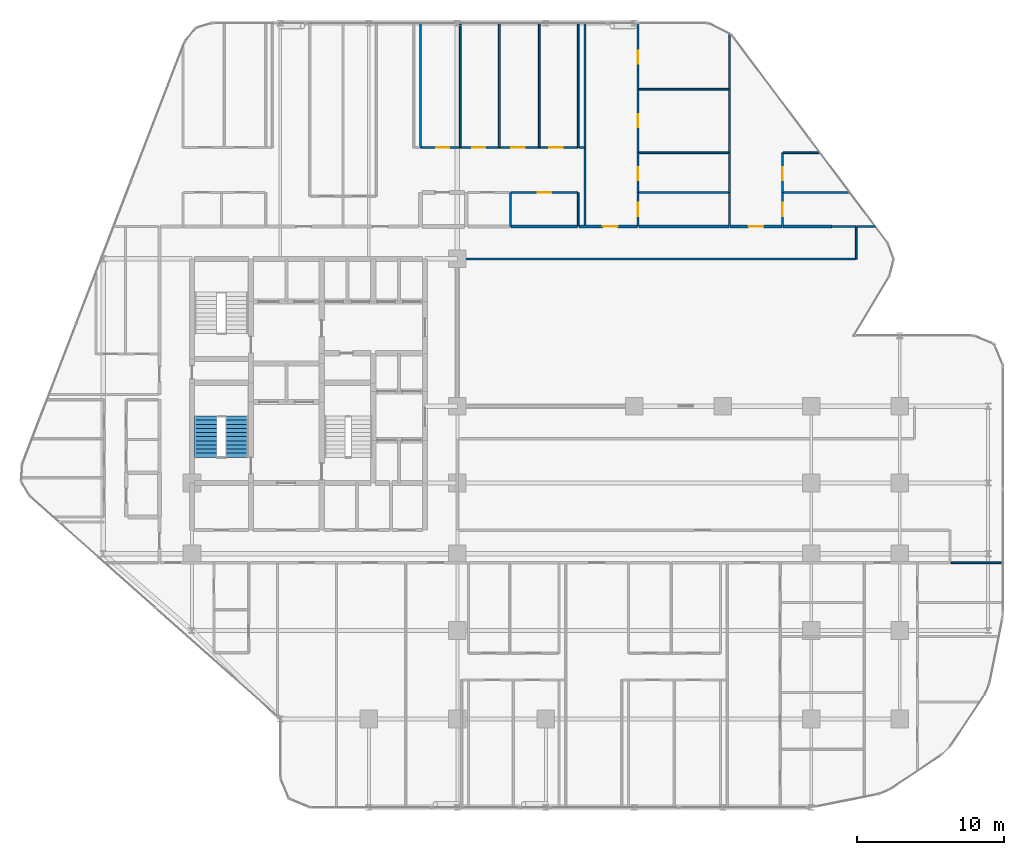
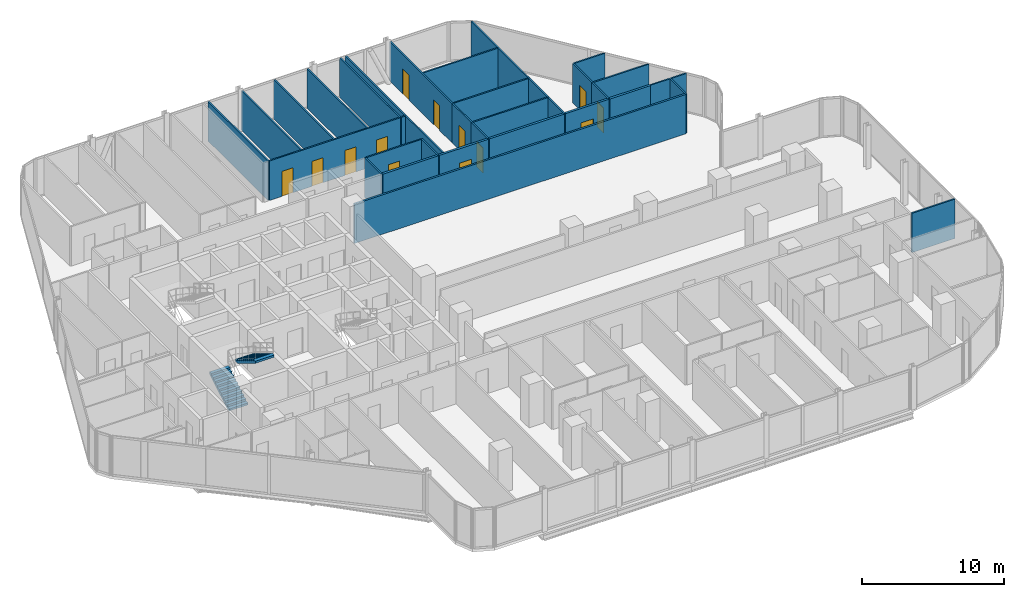
# One storey, part 31 of 33: 34 walls, 13 doors, 2 stair flights, 13 openings, 1 element without a shape of its own.
"""IFC4 building model written with IfcOpenShell, lengths in metres."""

from ifc_helpers import new_model, si_unit, direction, frame, frame_2d, origin, place, context, subcontext, project, spatial, polyline, rectangle, outline, extrude, material, layer, layer_set, type_object, element, fill, aggregate, save


model = new_model("IFC4")

# Units and contexts
model_context = context("Model", 3, precision=1e-05, world=origin(), true_north=direction((0.0, 1.0)))
body_context = subcontext(model_context, "Body", "Model", "MODEL_VIEW")
ifc_project = project(units=[si_unit("LENGTHUNIT", "METRE"), si_unit("AREAUNIT", "SQUARE_METRE"), si_unit("VOLUMEUNIT", "CUBIC_METRE"), si_unit("PLANEANGLEUNIT", "RADIAN"), si_unit("MASSUNIT", "GRAM", prefix="KILO")], contexts=[model_context])

# Site, building, storey
site_placement = place(None, origin())
site = spatial("IfcSite", under=ifc_project, at=site_placement, CompositionType="ELEMENT")
building_placement = place(site_placement, origin())
building = spatial("IfcBuilding", under=site, at=building_placement, Name="Keshet Zoharim Tower", CompositionType="ELEMENT")
storey_placement = place(building_placement, frame((0.0, 0.0, 73.800048828125)))
storey = spatial("IfcBuildingStorey", under=building, at=storey_placement, Name="L17", CompositionType="ELEMENT", Elevation=73.800048828125)

# Walls
ifc_material_1 = material(Name="Gypsum Plasterboard", Category="gypsum")
ifc_layer_1 = layer(ifc_material_1, 0.14990234375)
ifc_layer_set_1 = layer_set([ifc_layer_1], Name="Gypsum Plasterboard")
wall_type_1 = type_object("IfcWallType", Name="WL-CLIN-150", PredefinedType="STANDARD", material=ifc_layer_set_1)
wall_1_placement = place(storey_placement, frame((33.070068359375, 37.89990234375, 0.0), z_axis=(0.0, 0.0, 1.0), x_axis=(1.0, 0.0, 0.0)))
element("IfcWall", 1, at=wall_1_placement, inside=storey, type_object=wall_type_1, Name="L17 Interior Wall 188", PredefinedType="STANDARD", context=body_context, shape_type="SweptSolid", body=[
    extrude(rectangle(XDim=26.934814453125, YDim=0.14990234375, at=frame_2d((13.46728515625, 0.0))), origin(), (0.0, 0.0, 1.0), 3.385009765625),
])
ifc_layer_2 = layer(ifc_material_1, 0.179931640625)
ifc_layer_set_2 = layer_set([ifc_layer_2], Name="Gypsum Plasterboard")
wall_type_2 = type_object("IfcWallType", Name="WL-CORR-180", PredefinedType="STANDARD", material=ifc_layer_set_2)
wall_2_placement = place(storey_placement, frame((36.64990234375, 40.10009765625, 0.0), z_axis=(0.0, 0.0, 1.0), x_axis=(1.0, 0.0, 0.0)))
element("IfcWall", 2, at=wall_2_placement, inside=storey, type_object=wall_type_2, Name="L17 Interior Wall 197", PredefinedType="STANDARD", context=body_context, shape_type="SweptSolid", body=[
    extrude(rectangle(XDim=4.51513671875, YDim=0.179931640625, at=frame_2d((2.257568359375, 0.0))), origin(), (0.0, 0.0, 1.0), 3.385009765625),
])

# Wall, opening, door
wall_3_placement = place(storey_placement, frame((41.2548828125, 40.10009765625, 0.0), z_axis=(0.0, 0.0, 1.0), x_axis=(1.0, 0.0, 0.0)))
wall_3 = element("IfcWall", 3, at=wall_3_placement, inside=storey, type_object=wall_type_2, Name="L17 Interior Wall 198", PredefinedType="STANDARD", context=body_context, shape_type="SweptSolid", body=[
    extrude(rectangle(XDim=3.960205078125, YDim=0.179931640625, at=frame_2d((1.97998046875, 0.0))), origin(), (0.0, 0.0, 1.0), 3.385009765625),
])
opening_1_placement = place(wall_3_placement, frame((1.60888671875, 0.0, 0.0)))
opening_1 = element("IfcOpeningElement", 4, at=opening_1_placement, cuts=wall_3, Name="Opening D-F310", PredefinedType="OPENING", context=body_context, shape_type="SweptSolid", body=[
    extrude(rectangle(XDim=1.0, YDim=2.14990234375, at=frame_2d((0.5, 1.074951171875))), frame((0.0, 0.10009765625, 0.0), z_axis=(0.0, -1.0, 0.0), x_axis=(1.0, 0.0, 0.0)), (0.0, 0.0, 1.0), 0.199951171875),
])
ifc_material_2 = material(Name="Hardwood Timber", Category="wood")
door_type_1 = type_object("IfcDoorType", Name="DR-FD30-100", OperationType="NOTDEFINED", PredefinedType="DOOR", material=ifc_material_2)
door_1_placement = place(opening_1_placement, origin())
door_1 = element("IfcDoor", 5, at=door_1_placement, inside=storey, type_object=door_type_1, Name="Apartment 1708 Entrance Door", OperationType="SINGLE_SWING_LEFT", OverallHeight=2.14990234375, OverallWidth=1.0, PredefinedType="DOOR", context=body_context, shape_type="SweptSolid", body=[
    extrude(rectangle(XDim=1.0, YDim=2.14990234375, at=frame_2d((0.5, 1.074951171875))), frame((0.0, 0.02490234375, 0.0), z_axis=(0.0, -1.0, 0.0), x_axis=(1.0, 0.0, 0.0)), (0.0, 0.0, 1.0), 0.050048828125),
])
fill(opening_1, door_1)

# Wall
wall_4_placement = place(storey_placement, frame((45.304931640625, 40.10009765625, 0.0), z_axis=(0.0, 0.0, 1.0), x_axis=(1.0, 0.0, 0.0)))
element("IfcWall", 6, at=wall_4_placement, inside=storey, type_object=wall_type_2, Name="L17 Interior Wall 199", PredefinedType="STANDARD", context=body_context, shape_type="SweptSolid", body=[
    extrude(rectangle(XDim=6.10009765625, YDim=0.179931640625, at=frame_2d((3.050048828125, 0.0))), origin(), (0.0, 0.0, 1.0), 3.385009765625),
])

# Wall, opening, door
wall_5_placement = place(storey_placement, frame((51.4951171875, 40.10009765625, 0.0), z_axis=(0.0, 0.0, 1.0), x_axis=(1.0, 0.0, 0.0)))
wall_5 = element("IfcWall", 7, at=wall_5_placement, inside=storey, type_object=wall_type_2, Name="L17 Interior Wall 200", PredefinedType="STANDARD", context=body_context, shape_type="SweptSolid", body=[
    extrude(rectangle(XDim=3.509765625, YDim=0.179931640625, at=frame_2d((1.7548828125, 0.0))), origin(), (0.0, 0.0, 1.0), 3.385009765625),
])
opening_2_placement = place(wall_5_placement, frame((1.2548828125, 0.0, 0.0)))
opening_2 = element("IfcOpeningElement", 8, at=opening_2_placement, cuts=wall_5, Name="Opening D-F310", PredefinedType="OPENING", context=body_context, shape_type="SweptSolid", body=[
    extrude(rectangle(XDim=1.0, YDim=2.14990234375, at=frame_2d((0.5, 1.074951171875))), frame((0.0, 0.10009765625, 0.0), z_axis=(0.0, -1.0, 0.0), x_axis=(1.0, 0.0, 0.0)), (0.0, 0.0, 1.0), 0.199951171875),
])
door_2_placement = place(opening_2_placement, origin())
door_2 = element("IfcDoor", 9, at=door_2_placement, inside=storey, type_object=door_type_1, Name="Apartment 1709 Entrance Door", OperationType="SINGLE_SWING_RIGHT", OverallHeight=2.14990234375, OverallWidth=1.0, PredefinedType="DOOR", context=body_context, shape_type="SweptSolid", body=[
    extrude(rectangle(XDim=1.0, YDim=2.14990234375, at=frame_2d((0.5, 1.074951171875))), frame((0.0, 0.02490234375, 0.0), z_axis=(0.0, -1.0, 0.0), x_axis=(1.0, 0.0, 0.0)), (0.0, 0.0, 1.0), 0.050048828125),
])
fill(opening_2, door_2)

# Walls
wall_6_placement = place(storey_placement, frame((55.094970703125, 40.10009765625, 0.0), z_axis=(0.0, 0.0, 1.0), x_axis=(1.0, 0.0, 0.0)))
element("IfcWall", 10, at=wall_6_placement, inside=storey, type_object=wall_type_2, Name="L17 Interior Wall 201", PredefinedType="STANDARD", context=body_context, shape_type="SweptSolid", body=[
    extrude(rectangle(XDim=3.304931640625, YDim=0.179931640625, at=frame_2d((1.65234375, 0.0))), origin(), (0.0, 0.0, 1.0), 3.385009765625),
])
ifc_layer_3 = layer(ifc_material_1, 0.1201171875)
ifc_layer_set_3 = layer_set([ifc_layer_3], Name="Gypsum Plasterboard")
wall_type_3 = type_object("IfcWallType", Name="WL-PART-120", PredefinedType="PARTITIONING", material=ifc_layer_set_3)
for number, where, z_axis, x_axis, name in (
    (11, (30.5, 45.449951171875, 0.0), (0.0, 0.0, 1.0), (0.0, 1.0, 0.0), "L17 Interior Wall 062"),
    (12, (33.199951171875, 45.449951171875, 0.0), (0.0, 0.0, 1.0), (0.0, 1.0, 0.0), "L17 Interior Wall 071"),
    (13, (35.85009765625, 45.449951171875, 0.0), (0.0, 0.0, 1.0), (0.0, 1.0, 0.0), "L17 Interior Wall 076"),
    (14, (38.550048828125, 45.449951171875, 0.0), (0.0, 0.0, 1.0), (0.0, 1.0, 0.0), "L17 Interior Wall 080"),
):
    element("IfcWall", number, at=place(storey_placement, frame(where, z_axis=z_axis, x_axis=x_axis)), inside=storey, type_object=wall_type_3, Name=name, PredefinedType="PARTITIONING", context=body_context, shape_type="SweptSolid", body=[
        extrude(rectangle(XDim=8.43994140625, YDim=0.1201171875, at=frame_2d((4.219970703125, 0.0))), origin(), (0.0, 0.0, 1.0), 3.385009765625),
    ])
wall_7_placement = place(storey_placement, frame((41.199951171875, 40.10009765625, 0.0), z_axis=(0.0, 0.0, 1.0), x_axis=(0.0, 1.0, 0.0)))
element("IfcWall", 15, at=wall_7_placement, inside=storey, type_object=wall_type_3, Name="L17 Interior Wall 084", PredefinedType="PARTITIONING", context=body_context, shape_type="SweptSolid", body=[
    extrude(rectangle(XDim=2.2998046875, YDim=0.1201171875, at=frame_2d((1.14990234375, 0.0))), origin(), (0.0, 0.0, 1.0), 3.385009765625),
])
wall_8_placement = place(storey_placement, frame((41.199951171875, 45.449951171875, 0.0), z_axis=(0.0, 0.0, 1.0), x_axis=(0.0, 1.0, 0.0)))
element("IfcWall", 16, at=wall_8_placement, inside=storey, type_object=wall_type_3, Name="L17 Interior Wall 085", PredefinedType="PARTITIONING", context=body_context, shape_type="SweptSolid", body=[
    extrude(rectangle(XDim=8.43994140625, YDim=0.1201171875, at=frame_2d((4.219970703125, 0.0))), origin(), (0.0, 0.0, 1.0), 3.385009765625),
])
wall_9_placement = place(storey_placement, frame((41.64990234375, 40.10009765625, 0.0), z_axis=(0.0, 0.0, 1.0), x_axis=(0.0, 1.0, 0.0)))
element("IfcWall", 17, at=wall_9_placement, inside=storey, type_object=wall_type_3, Name="L17 Interior Wall 086", PredefinedType="PARTITIONING", context=body_context, shape_type="SweptSolid", body=[
    extrude(rectangle(XDim=13.789794921875, YDim=0.1201171875, at=frame_2d((6.89501953125, 0.0))), origin(), (0.0, 0.0, 1.0), 3.385009765625),
])

# Wall, opening, door
wall_10_placement = place(storey_placement, frame((45.25, 40.10009765625, 0.0), z_axis=(0.0, 0.0, 1.0), x_axis=(0.0, 1.0, 0.0)))
wall_10 = element("IfcWall", 18, at=wall_10_placement, inside=storey, type_object=wall_type_3, Name="L17 Interior Wall 090", PredefinedType="PARTITIONING", context=body_context, shape_type="SweptSolid", body=[
    extrude(rectangle(XDim=2.2998046875, YDim=0.1201171875, at=frame_2d((1.14990234375, 0.0))), origin(), (0.0, 0.0, 1.0), 3.385009765625),
])
opening_3_placement = place(wall_10_placement, frame((0.699951171875, 0.0, 0.0)))
opening_3 = element("IfcOpeningElement", 19, at=opening_3_placement, cuts=wall_10, Name="Opening D-IN90", PredefinedType="OPENING", context=body_context, shape_type="SweptSolid", body=[
    extrude(rectangle(XDim=0.89990234375, YDim=2.14990234375, at=frame_2d((0.449951171875, 1.074951171875))), frame((0.0, 0.070068359375, 0.0), z_axis=(0.0, -1.0, 0.0), x_axis=(1.0, 0.0, 0.0)), (0.0, 0.0, 1.0), 0.14013671875),
])
door_type_2 = type_object("IfcDoorType", Name="DR-INT-090", OperationType="NOTDEFINED", PredefinedType="DOOR", material=ifc_material_2)
door_3_placement = place(opening_3_placement, origin())
door_3 = element("IfcDoor", 20, at=door_3_placement, inside=storey, type_object=door_type_2, Name="Apartment 1708 Kitchen Door", OperationType="SINGLE_SWING_RIGHT", OverallHeight=2.14990234375, OverallWidth=0.89990234375, PredefinedType="DOOR", context=body_context, shape_type="SweptSolid", body=[
    extrude(rectangle(XDim=0.89990234375, YDim=2.14990234375, at=frame_2d((0.449951171875, 1.074951171875))), frame((0.0, 0.02490234375, 0.0), z_axis=(0.0, -1.0, 0.0), x_axis=(1.0, 0.0, 0.0)), (0.0, 0.0, 1.0), 0.050048828125),
])
fill(opening_3, door_3)

# Wall, openings, doors
wall_11_placement = place(storey_placement, frame((45.25, 45.10009765625, 0.0), z_axis=(0.0, 0.0, 1.0), x_axis=(0.0, 1.0, 0.0)))
wall_11 = element("IfcWall", 21, at=wall_11_placement, inside=storey, type_object=wall_type_3, Name="L17 Interior Wall 092", PredefinedType="PARTITIONING", context=body_context, shape_type="SweptSolid", body=[
    extrude(rectangle(XDim=8.789794921875, YDim=0.1201171875, at=frame_2d((4.39501953125, 0.0))), origin(), (0.0, 0.0, 1.0), 3.385009765625),
])
opening_4_placement = place(wall_11_placement, frame((1.7119140625, 0.0, 0.0)))
opening_4 = element("IfcOpeningElement", 22, at=opening_4_placement, cuts=wall_11, Name="Opening D-IN90", PredefinedType="OPENING", context=body_context, shape_type="SweptSolid", body=[
    extrude(rectangle(XDim=0.89990234375, YDim=2.14990234375, at=frame_2d((0.449951171875, 1.074951171875))), frame((0.0, 0.070068359375, 0.0), z_axis=(0.0, -1.0, 0.0), x_axis=(1.0, 0.0, 0.0)), (0.0, 0.0, 1.0), 0.14013671875),
])
opening_5_placement = place(wall_11_placement, frame((6.030029296875, 0.0, 0.0)))
opening_5 = element("IfcOpeningElement", 23, at=opening_5_placement, cuts=wall_11, Name="Opening D-IN90", PredefinedType="OPENING", context=body_context, shape_type="SweptSolid", body=[
    extrude(rectangle(XDim=0.89990234375, YDim=2.14990234375, at=frame_2d((0.449951171875, 1.074951171875))), frame((0.0, 0.070068359375, 0.0), z_axis=(0.0, -1.0, 0.0), x_axis=(1.0, 0.0, 0.0)), (0.0, 0.0, 1.0), 0.14013671875),
])
door_4_placement = place(opening_4_placement, origin())
door_4 = element("IfcDoor", 24, at=door_4_placement, inside=storey, type_object=door_type_2, Name="Apartment 1708 Bedroom 1 Door", OperationType="SINGLE_SWING_RIGHT", OverallHeight=2.14990234375, OverallWidth=0.89990234375, PredefinedType="DOOR", context=body_context, shape_type="SweptSolid", body=[
    extrude(rectangle(XDim=0.89990234375, YDim=2.14990234375, at=frame_2d((0.449951171875, 1.074951171875))), frame((0.0, 0.02490234375, 0.0), z_axis=(0.0, -1.0, 0.0), x_axis=(1.0, 0.0, 0.0)), (0.0, 0.0, 1.0), 0.050048828125),
])
fill(opening_4, door_4)
door_5_placement = place(opening_5_placement, origin())
door_5 = element("IfcDoor", 25, at=door_5_placement, inside=storey, type_object=door_type_2, Name="Apartment 1708 Bedroom 2 Door", OperationType="SINGLE_SWING_LEFT", OverallHeight=2.14990234375, OverallWidth=0.89990234375, PredefinedType="DOOR", context=body_context, shape_type="SweptSolid", body=[
    extrude(rectangle(XDim=0.89990234375, YDim=2.14990234375, at=frame_2d((0.449951171875, 1.074951171875))), frame((0.0, 0.02490234375, 0.0), z_axis=(0.0, -1.0, 0.0), x_axis=(1.0, 0.0, 0.0)), (0.0, 0.0, 1.0), 0.050048828125),
])
fill(opening_5, door_5)

# Walls
wall_12_placement = place(storey_placement, frame((51.449951171875, 40.10009765625, 0.0), z_axis=(0.0, 0.0, 1.0), x_axis=(0.0, 1.0, 0.0)))
element("IfcWall", 26, at=wall_12_placement, inside=storey, type_object=wall_type_3, Name="L17 Interior Wall 098", PredefinedType="PARTITIONING", context=body_context, shape_type="SweptSolid", body=[
    extrude(rectangle(XDim=2.2998046875, YDim=0.1201171875, at=frame_2d((1.14990234375, 0.0))), origin(), (0.0, 0.0, 1.0), 3.385009765625),
])
wall_13_placement = place(storey_placement, frame((51.449951171875, 45.10009765625, 0.0), z_axis=(0.0, 0.0, 1.0), x_axis=(0.0, 1.0, 0.0)))
element("IfcWall", 27, at=wall_13_placement, inside=storey, type_object=wall_type_3, Name="L17 Interior Wall 100", PredefinedType="PARTITIONING", context=body_context, shape_type="SweptSolid", body=[
    extrude(rectangle(XDim=8.06494140625, YDim=0.1201171875, at=frame_2d((4.032470703125, 0.0))), origin(), (0.0, 0.0, 1.0), 3.385009765625),
])

# Wall, opening, door
wall_14_placement = place(storey_placement, frame((55.050048828125, 40.10009765625, 0.0), z_axis=(0.0, 0.0, 1.0), x_axis=(0.0, 1.0, 0.0)))
wall_14 = element("IfcWall", 28, at=wall_14_placement, inside=storey, type_object=wall_type_3, Name="L17 Interior Wall 104", PredefinedType="PARTITIONING", context=body_context, shape_type="SweptSolid", body=[
    extrude(rectangle(XDim=2.2998046875, YDim=0.1201171875, at=frame_2d((1.14990234375, 0.0))), origin(), (0.0, 0.0, 1.0), 3.385009765625),
])
opening_6_placement = place(wall_14_placement, frame((0.699951171875, 0.0, 0.0)))
opening_6 = element("IfcOpeningElement", 29, at=opening_6_placement, cuts=wall_14, Name="Opening D-IN90", PredefinedType="OPENING", context=body_context, shape_type="SweptSolid", body=[
    extrude(rectangle(XDim=0.89990234375, YDim=2.14990234375, at=frame_2d((0.449951171875, 1.074951171875))), frame((0.0, 0.070068359375, 0.0), z_axis=(0.0, -1.0, 0.0), x_axis=(1.0, 0.0, 0.0)), (0.0, 0.0, 1.0), 0.14013671875),
])
door_6_placement = place(opening_6_placement, origin())
door_6 = element("IfcDoor", 30, at=door_6_placement, inside=storey, type_object=door_type_2, Name="Apartment 1709 Kitchen Door", OperationType="SINGLE_SWING_LEFT", OverallHeight=2.14990234375, OverallWidth=0.89990234375, PredefinedType="DOOR", context=body_context, shape_type="SweptSolid", body=[
    extrude(rectangle(XDim=0.89990234375, YDim=2.14990234375, at=frame_2d((0.449951171875, 1.074951171875))), frame((0.0, 0.02490234375, 0.0), z_axis=(0.0, -1.0, 0.0), x_axis=(1.0, 0.0, 0.0)), (0.0, 0.0, 1.0), 0.050048828125),
])
fill(opening_6, door_6)

# Walls
wall_15_placement = place(storey_placement, frame((60.050048828125, 37.889892578125, 0.0), z_axis=(0.0, 0.0, 1.0), x_axis=(0.0, 1.0, 0.0)))
element("IfcWall", 31, at=wall_15_placement, inside=storey, type_object=wall_type_3, Name="L17 Interior Wall 106", PredefinedType="PARTITIONING", context=body_context, shape_type="SweptSolid", body=[
    extrude(rectangle(XDim=2.2001953125, YDim=0.1201171875, at=frame_2d((1.10009765625, 0.0))), origin(), (0.0, 0.0, 1.0), 3.385009765625),
])
wall_16_placement = place(storey_placement, frame((58.39990234375, 40.10009765625, 0.0), z_axis=(0.0, 0.0, 1.0), x_axis=(1.0, 0.0, 0.0)))
element("IfcWall", 32, at=wall_16_placement, inside=storey, type_object=wall_type_3, Name="L17 Interior Wall 202", PredefinedType="PARTITIONING", context=body_context, shape_type="SweptSolid", body=[
    extrude(rectangle(XDim=1.60498046875, YDim=0.1201171875, at=frame_2d((0.802490234375, 0.0))), origin(), (0.0, 0.0, 1.0), 3.385009765625),
])
wall_17_placement = place(storey_placement, frame((60.094970703125, 40.10009765625, 0.0), z_axis=(0.0, 0.0, 1.0), x_axis=(1.0, 0.0, 0.0)))
element("IfcWall", 33, at=wall_17_placement, inside=storey, type_object=wall_type_3, Name="L17 Interior Wall 203", PredefinedType="PARTITIONING", context=body_context, shape_type="SweptSolid", body=[
    extrude(rectangle(XDim=1.2451171875, YDim=0.1201171875, at=frame_2d((0.62255859375, 0.0))), origin(), (0.0, 0.0, 1.0), 3.385009765625),
])

# Wall, opening, door
wall_18_placement = place(storey_placement, frame((36.64990234375, 42.39990234375, 0.0), z_axis=(0.0, 0.0, 1.0), x_axis=(1.0, 0.0, 0.0)))
wall_18 = element("IfcWall", 34, at=wall_18_placement, inside=storey, type_object=wall_type_3, Name="L17 Interior Wall 209", PredefinedType="PARTITIONING", context=body_context, shape_type="SweptSolid", body=[
    extrude(rectangle(XDim=4.51513671875, YDim=0.1201171875, at=frame_2d((2.257568359375, 0.0))), origin(), (0.0, 0.0, 1.0), 3.385009765625),
])
opening_7_placement = place(wall_18_placement, frame((1.806884765625, 0.0, 0.0)))
opening_7 = element("IfcOpeningElement", 35, at=opening_7_placement, cuts=wall_18, Name="Opening D-IN90", PredefinedType="OPENING", context=body_context, shape_type="SweptSolid", body=[
    extrude(rectangle(XDim=0.89990234375, YDim=2.14990234375, at=frame_2d((0.449951171875, 1.074951171875))), frame((0.0, 0.070068359375, 0.0), z_axis=(0.0, -1.0, 0.0), x_axis=(1.0, 0.0, 0.0)), (0.0, 0.0, 1.0), 0.14013671875),
])
door_7_placement = place(opening_7_placement, origin())
door_7 = element("IfcDoor", 36, at=door_7_placement, inside=storey, type_object=door_type_2, Name="Apartment 1707 Kitchen Door", OperationType="SINGLE_SWING_LEFT", OverallHeight=2.14990234375, OverallWidth=0.89990234375, PredefinedType="DOOR", context=body_context, shape_type="SweptSolid", body=[
    extrude(rectangle(XDim=0.89990234375, YDim=2.14990234375, at=frame_2d((0.449951171875, 1.074951171875))), frame((0.0, 0.02490234375, 0.0), z_axis=(0.0, -1.0, 0.0), x_axis=(1.0, 0.0, 0.0)), (0.0, 0.0, 1.0), 0.050048828125),
])
fill(opening_7, door_7)

# Wall, openings, doors
wall_19_placement = place(storey_placement, frame((30.544921875, 45.449951171875, 0.0), z_axis=(0.0, 0.0, 1.0), x_axis=(1.0, 0.0, 0.0)))
wall_19 = element("IfcWall", 37, at=wall_19_placement, inside=storey, type_object=wall_type_3, Name="L17 Interior Wall 217", PredefinedType="PARTITIONING", context=body_context, shape_type="SweptSolid", body=[
    extrude(rectangle(XDim=10.6201171875, YDim=0.1201171875, at=frame_2d((5.31005859375, 0.0))), origin(), (0.0, 0.0, 1.0), 3.385009765625),
])
opening_8_placement = place(wall_19_placement, frame((1.01904296875, 0.0, 0.0)))
opening_8 = element("IfcOpeningElement", 38, at=opening_8_placement, cuts=wall_19, Name="Opening D-IN90", PredefinedType="OPENING", context=body_context, shape_type="SweptSolid", body=[
    extrude(rectangle(XDim=0.89990234375, YDim=2.14990234375, at=frame_2d((0.449951171875, 1.074951171875))), frame((0.0, 0.070068359375, 0.0), z_axis=(0.0, -1.0, 0.0), x_axis=(1.0, 0.0, 0.0)), (0.0, 0.0, 1.0), 0.14013671875),
])
opening_9_placement = place(wall_19_placement, frame((3.449951171875, 0.0, 0.0)))
opening_9 = element("IfcOpeningElement", 39, at=opening_9_placement, cuts=wall_19, Name="Opening D-IN90", PredefinedType="OPENING", context=body_context, shape_type="SweptSolid", body=[
    extrude(rectangle(XDim=0.89990234375, YDim=2.14990234375, at=frame_2d((0.449951171875, 1.074951171875))), frame((0.0, 0.070068359375, 0.0), z_axis=(0.0, -1.0, 0.0), x_axis=(1.0, 0.0, 0.0)), (0.0, 0.0, 1.0), 0.14013671875),
])
opening_10_placement = place(wall_19_placement, frame((6.126953125, 0.0, 0.0)))
opening_10 = element("IfcOpeningElement", 40, at=opening_10_placement, cuts=wall_19, Name="Opening D-IN90", PredefinedType="OPENING", context=body_context, shape_type="SweptSolid", body=[
    extrude(rectangle(XDim=0.89990234375, YDim=2.14990234375, at=frame_2d((0.449951171875, 1.074951171875))), frame((0.0, 0.070068359375, 0.0), z_axis=(0.0, -1.0, 0.0), x_axis=(1.0, 0.0, 0.0)), (0.0, 0.0, 1.0), 0.14013671875),
])
opening_11_placement = place(wall_19_placement, frame((8.700927734375, 0.0, 0.0)))
opening_11 = element("IfcOpeningElement", 41, at=opening_11_placement, cuts=wall_19, Name="Opening D-IN90", PredefinedType="OPENING", context=body_context, shape_type="SweptSolid", body=[
    extrude(rectangle(XDim=0.89990234375, YDim=2.14990234375, at=frame_2d((0.449951171875, 1.074951171875))), frame((0.0, 0.070068359375, 0.0), z_axis=(0.0, -1.0, 0.0), x_axis=(1.0, 0.0, 0.0)), (0.0, 0.0, 1.0), 0.14013671875),
])
door_8_placement = place(opening_8_placement, origin())
door_8 = element("IfcDoor", 42, at=door_8_placement, inside=storey, type_object=door_type_2, Name="Apartment 1707 Bedroom 1 Door", OperationType="SINGLE_SWING_RIGHT", OverallHeight=2.14990234375, OverallWidth=0.89990234375, PredefinedType="DOOR", context=body_context, shape_type="SweptSolid", body=[
    extrude(rectangle(XDim=0.89990234375, YDim=2.14990234375, at=frame_2d((0.449951171875, 1.074951171875))), frame((0.0, 0.02490234375, 0.0), z_axis=(0.0, -1.0, 0.0), x_axis=(1.0, 0.0, 0.0)), (0.0, 0.0, 1.0), 0.050048828125),
])
fill(opening_8, door_8)
door_9_placement = place(opening_9_placement, origin())
door_9 = element("IfcDoor", 43, at=door_9_placement, inside=storey, type_object=door_type_2, Name="Apartment 1707 Bedroom 2 Door", OperationType="SINGLE_SWING_LEFT", OverallHeight=2.14990234375, OverallWidth=0.89990234375, PredefinedType="DOOR", context=body_context, shape_type="SweptSolid", body=[
    extrude(rectangle(XDim=0.89990234375, YDim=2.14990234375, at=frame_2d((0.449951171875, 1.074951171875))), frame((0.0, 0.02490234375, 0.0), z_axis=(0.0, -1.0, 0.0), x_axis=(1.0, 0.0, 0.0)), (0.0, 0.0, 1.0), 0.050048828125),
])
fill(opening_9, door_9)
door_10_placement = place(opening_10_placement, origin())
door_10 = element("IfcDoor", 44, at=door_10_placement, inside=storey, type_object=door_type_2, Name="Apartment 1707 Bedroom 3 Door", OperationType="SINGLE_SWING_RIGHT", OverallHeight=2.14990234375, OverallWidth=0.89990234375, PredefinedType="DOOR", context=body_context, shape_type="SweptSolid", body=[
    extrude(rectangle(XDim=0.89990234375, YDim=2.14990234375, at=frame_2d((0.449951171875, 1.074951171875))), frame((0.0, 0.02490234375, 0.0), z_axis=(0.0, -1.0, 0.0), x_axis=(1.0, 0.0, 0.0)), (0.0, 0.0, 1.0), 0.050048828125),
])
fill(opening_10, door_10)
door_11_placement = place(opening_11_placement, origin())
door_11 = element("IfcDoor", 45, at=door_11_placement, inside=storey, type_object=door_type_2, Name="Apartment 1707 Bedroom 4 Door", OperationType="SINGLE_SWING_LEFT", OverallHeight=2.14990234375, OverallWidth=0.89990234375, PredefinedType="DOOR", context=body_context, shape_type="SweptSolid", body=[
    extrude(rectangle(XDim=0.89990234375, YDim=2.14990234375, at=frame_2d((0.449951171875, 1.074951171875))), frame((0.0, 0.02490234375, 0.0), z_axis=(0.0, -1.0, 0.0), x_axis=(1.0, 0.0, 0.0)), (0.0, 0.0, 1.0), 0.050048828125),
])
fill(opening_11, door_11)

# Walls
wall_20_placement = place(storey_placement, frame((41.2548828125, 45.449951171875, 0.0), z_axis=(0.0, 0.0, 1.0), x_axis=(1.0, 0.0, 0.0)))
element("IfcWall", 46, at=wall_20_placement, inside=storey, type_object=wall_type_3, Name="L17 Interior Wall 218", PredefinedType="PARTITIONING", context=body_context, shape_type="SweptSolid", body=[
    extrude(rectangle(XDim=0.360107421875, YDim=0.1201171875, at=frame_2d((0.18017578125, 0.0))), origin(), (0.0, 0.0, 1.0), 3.385009765625),
])
wall_21_placement = place(storey_placement, frame((45.304931640625, 49.39990234375, 0.0), z_axis=(0.0, 0.0, 1.0), x_axis=(1.0, 0.0, 0.0)))
element("IfcWall", 47, at=wall_21_placement, inside=storey, type_object=wall_type_3, Name="L17 Interior Wall 219", PredefinedType="PARTITIONING", context=body_context, shape_type="SweptSolid", body=[
    extrude(rectangle(XDim=6.10009765625, YDim=0.1201171875, at=frame_2d((3.050048828125, 0.0))), origin(), (0.0, 0.0, 1.0), 3.385009765625),
])
ifc_layer_4 = layer(ifc_material_1, 0.1201171875)
ifc_layer_set_4 = layer_set([ifc_layer_4], Name="Gypsum Plasterboard")
wall_type_4 = type_object("IfcWallType", Name="WL-WET-120", PredefinedType="PARTITIONING", material=ifc_layer_set_4)
wall_22_placement = place(storey_placement, frame((36.60009765625, 40.10009765625, 0.0), z_axis=(0.0, 0.0, 1.0), x_axis=(0.0, 1.0, 0.0)))
element("IfcWall", 48, at=wall_22_placement, inside=storey, type_object=wall_type_4, Name="L17 Interior Wall 078", PredefinedType="PARTITIONING", context=body_context, shape_type="SweptSolid", body=[
    extrude(rectangle(XDim=2.2998046875, YDim=0.1201171875, at=frame_2d((1.14990234375, 0.0))), origin(), (0.0, 0.0, 1.0), 3.385009765625),
])

# Wall, opening, door
wall_23_placement = place(storey_placement, frame((45.25, 42.39990234375, 0.0), z_axis=(0.0, 0.0, 1.0), x_axis=(0.0, 1.0, 0.0)))
wall_23 = element("IfcWall", 49, at=wall_23_placement, inside=storey, type_object=wall_type_4, Name="L17 Interior Wall 091", PredefinedType="PARTITIONING", context=body_context, shape_type="SweptSolid", body=[
    extrude(rectangle(XDim=2.7001953125, YDim=0.1201171875, at=frame_2d((1.35009765625, 0.0))), origin(), (0.0, 0.0, 1.0), 3.385009765625),
])
opening_12_placement = place(wall_23_placement, frame((0.827880859375, 0.0, 0.0)))
opening_12 = element("IfcOpeningElement", 50, at=opening_12_placement, cuts=wall_23, Name="Opening D-WT90", PredefinedType="OPENING", context=body_context, shape_type="SweptSolid", body=[
    extrude(rectangle(XDim=0.89990234375, YDim=2.10009765625, at=frame_2d((0.449951171875, 1.050048828125))), frame((0.0, 0.070068359375, 0.0), z_axis=(0.0, -1.0, 0.0), x_axis=(1.0, 0.0, 0.0)), (0.0, 0.0, 1.0), 0.14013671875),
])
door_type_3 = type_object("IfcDoorType", Name="DR-WET-090", OperationType="NOTDEFINED", PredefinedType="DOOR", material=ifc_material_2)
door_12_placement = place(opening_12_placement, origin())
door_12 = element("IfcDoor", 51, at=door_12_placement, inside=storey, type_object=door_type_3, Name="Apartment 1708 Bathroom Door", OperationType="SINGLE_SWING_LEFT", OverallHeight=2.10009765625, OverallWidth=0.89990234375, PredefinedType="DOOR", context=body_context, shape_type="SweptSolid", body=[
    extrude(rectangle(XDim=0.89990234375, YDim=2.10009765625, at=frame_2d((0.449951171875, 1.050048828125))), frame((0.0, 0.02490234375, 0.0), z_axis=(0.0, -1.0, 0.0), x_axis=(1.0, 0.0, 0.0)), (0.0, 0.0, 1.0), 0.050048828125),
])
fill(opening_12, door_12)

# Wall
wall_24_placement = place(storey_placement, frame((51.449951171875, 42.39990234375, 0.0), z_axis=(0.0, 0.0, 1.0), x_axis=(0.0, 1.0, 0.0)))
element("IfcWall", 52, at=wall_24_placement, inside=storey, type_object=wall_type_4, Name="L17 Interior Wall 099", PredefinedType="PARTITIONING", context=body_context, shape_type="SweptSolid", body=[
    extrude(rectangle(XDim=2.7001953125, YDim=0.1201171875, at=frame_2d((1.35009765625, 0.0))), origin(), (0.0, 0.0, 1.0), 3.385009765625),
])

# Wall, opening, door
wall_25_placement = place(storey_placement, frame((55.050048828125, 42.39990234375, 0.0), z_axis=(0.0, 0.0, 1.0), x_axis=(0.0, 1.0, 0.0)))
wall_25 = element("IfcWall", 53, at=wall_25_placement, inside=storey, type_object=wall_type_4, Name="L17 Interior Wall 105", PredefinedType="PARTITIONING", context=body_context, shape_type="SweptSolid", body=[
    extrude(rectangle(XDim=2.7001953125, YDim=0.1201171875, at=frame_2d((1.35009765625, 0.0))), origin(), (0.0, 0.0, 1.0), 3.385009765625),
])
opening_13_placement = place(wall_25_placement, frame((0.827880859375, 0.0, 0.0)))
opening_13 = element("IfcOpeningElement", 54, at=opening_13_placement, cuts=wall_25, Name="Opening D-WT90", PredefinedType="OPENING", context=body_context, shape_type="SweptSolid", body=[
    extrude(rectangle(XDim=0.89990234375, YDim=2.10009765625, at=frame_2d((0.449951171875, 1.050048828125))), frame((0.0, 0.070068359375, 0.0), z_axis=(0.0, -1.0, 0.0), x_axis=(1.0, 0.0, 0.0)), (0.0, 0.0, 1.0), 0.14013671875),
])
door_13_placement = place(opening_13_placement, origin())
door_13 = element("IfcDoor", 55, at=door_13_placement, inside=storey, type_object=door_type_3, Name="Apartment 1709 Bathroom Door", OperationType="SINGLE_SWING_RIGHT", OverallHeight=2.10009765625, OverallWidth=0.89990234375, PredefinedType="DOOR", context=body_context, shape_type="SweptSolid", body=[
    extrude(rectangle(XDim=0.89990234375, YDim=2.10009765625, at=frame_2d((0.449951171875, 1.050048828125))), frame((0.0, 0.02490234375, 0.0), z_axis=(0.0, -1.0, 0.0), x_axis=(1.0, 0.0, 0.0)), (0.0, 0.0, 1.0), 0.050048828125),
])
fill(opening_13, door_13)

# Walls
wall_26_placement = place(storey_placement, frame((66.469970703125, 17.300048828125, 0.0), z_axis=(0.0, 0.0, 1.0), x_axis=(1.0, 0.0, 0.0)))
element("IfcWall", 56, at=wall_26_placement, inside=storey, type_object=wall_type_4, Name="L17 Interior Wall 150", PredefinedType="PARTITIONING", context=body_context, shape_type="SweptSolid", body=[
    extrude(rectangle(XDim=3.52001953125, YDim=0.1201171875, at=frame_2d((1.760009765625, 0.0))), origin(), (0.0, 0.0, 1.0), 3.385009765625),
])
wall_27_placement = place(storey_placement, frame((45.304931640625, 42.39990234375, 0.0), z_axis=(0.0, 0.0, 1.0), x_axis=(1.0, 0.0, 0.0)))
element("IfcWall", 57, at=wall_27_placement, inside=storey, type_object=wall_type_4, Name="L17 Interior Wall 210", PredefinedType="PARTITIONING", context=body_context, shape_type="SweptSolid", body=[
    extrude(rectangle(XDim=6.10009765625, YDim=0.1201171875, at=frame_2d((3.050048828125, 0.0))), origin(), (0.0, 0.0, 1.0), 3.385009765625),
])
wall_28_placement = place(storey_placement, frame((55.094970703125, 42.39990234375, 0.0), z_axis=(0.0, 0.0, 1.0), x_axis=(1.0, 0.0, 0.0)))
element("IfcWall", 58, at=wall_28_placement, inside=storey, type_object=wall_type_4, Name="L17 Interior Wall 211", PredefinedType="PARTITIONING", context=body_context, shape_type="SweptSolid", body=[
    extrude(rectangle(XDim=4.52001953125, YDim=0.1201171875, at=frame_2d((2.260009765625, 0.0))), origin(), (0.0, 0.0, 1.0), 3.385009765625),
])
wall_29_placement = place(storey_placement, frame((45.304931640625, 45.10009765625, 0.0), z_axis=(0.0, 0.0, 1.0), x_axis=(1.0, 0.0, 0.0)))
element("IfcWall", 59, at=wall_29_placement, inside=storey, type_object=wall_type_4, Name="L17 Interior Wall 212", PredefinedType="PARTITIONING", context=body_context, shape_type="SweptSolid", body=[
    extrude(rectangle(XDim=6.10009765625, YDim=0.1201171875, at=frame_2d((3.050048828125, 0.0))), origin(), (0.0, 0.0, 1.0), 3.385009765625),
])
wall_30_placement = place(storey_placement, frame((55.094970703125, 45.10009765625, 0.0), z_axis=(0.0, 0.0, 1.0), x_axis=(1.0, 0.0, 0.0)))
element("IfcWall", 60, at=wall_30_placement, inside=storey, type_object=wall_type_4, Name="L17 Interior Wall 213", PredefinedType="PARTITIONING", context=body_context, shape_type="SweptSolid", body=[
    extrude(rectangle(XDim=2.4951171875, YDim=0.1201171875, at=frame_2d((1.24755859375, 0.0))), origin(), (0.0, 0.0, 1.0), 3.385009765625),
])

# Stair, stair flights
ifc_material_3 = material(Name="Concrete C50/60", Category="concrete")
stair_type = type_object("IfcStairType", Name="STR-EXIT-135", PredefinedType="HALF_TURN_STAIR", material=ifc_material_3)
stair_placement = place(storey_placement, origin())
stair = element("IfcStair", 61, at=stair_placement, inside=storey, type_object=stair_type, Name="L17 Enclosed Exit Stair ST-01", PredefinedType="HALF_TURN_STAIR")
stair_flight_type = type_object("IfcStairFlightType", Name="FLT-PRE-135", PredefinedType="STRAIGHT", material=ifc_material_3)
stair_flight_1_placement = place(storey_placement, frame((15.945068359375, 24.43994140625, 0.0), z_axis=(0.0, 0.0, 1.0), x_axis=(0.0, 1.0, 0.0)))
stair_flight_1 = element("IfcStairFlight", 62, at=stair_flight_1_placement, type_object=stair_flight_type, Name="ST-01 flight 1", NumberOfRisers=11, NumberOfTreads=10, PredefinedType="STRAIGHT", RiserHeight=0.168182, TreadLength=0.28, context=body_context, shape_type="SweptSolid", body=[
    extrude(outline(polyline([(0.0, 0.0), (0.0, 0.168212890625), (0.280029296875, 0.168212890625), (0.280029296875, 0.33642578125), (0.56005859375, 0.33642578125), (0.56005859375, 0.504638671875), (0.840087890625, 0.504638671875), (0.840087890625, 0.672607421875), (1.1201171875, 0.672607421875), (1.1201171875, 0.8408203125), (1.39990234375, 0.8408203125), (1.39990234375, 1.009033203125), (1.679931640625, 1.009033203125), (1.679931640625, 1.17724609375), (1.9599609375, 1.17724609375), (1.9599609375, 1.345458984375), (2.239990234375, 1.345458984375), (2.239990234375, 1.513671875), (2.52001953125, 1.513671875), (2.52001953125, 1.681884765625), (2.800048828125, 1.681884765625), (2.800048828125, 1.85009765625), (2.800048828125, 1.495361328125), (0.310546875, 0.0), (0.0, 0.0)])), frame((0.0, 0.76513671875, 0.0), z_axis=(0.0, -1.0, 0.0), x_axis=(1.0, 0.0, 0.0)), (0.0, 0.0, 1.0), 1.530029296875),
])
stair_flight_2_placement = place(storey_placement, frame((18.054931640625, 27.239990234375, 1.849853515625), z_axis=(0.0, 0.0, 1.0), x_axis=(0.0, -1.0, 0.0)))
stair_flight_2 = element("IfcStairFlight", 63, at=stair_flight_2_placement, type_object=stair_flight_type, Name="ST-01 flight 2", NumberOfRisers=11, NumberOfTreads=10, PredefinedType="STRAIGHT", RiserHeight=0.168182, TreadLength=0.28, context=body_context, shape_type="SweptSolid", body=[
    extrude(outline(polyline([(0.0, 0.0), (0.0, 0.168212890625), (0.280029296875, 0.168212890625), (0.280029296875, 0.33642578125), (0.56005859375, 0.33642578125), (0.56005859375, 0.504638671875), (0.840087890625, 0.504638671875), (0.840087890625, 0.672607421875), (1.1201171875, 0.672607421875), (1.1201171875, 0.8408203125), (1.39990234375, 0.8408203125), (1.39990234375, 1.009033203125), (1.679931640625, 1.009033203125), (1.679931640625, 1.17724609375), (1.9599609375, 1.17724609375), (1.9599609375, 1.345458984375), (2.239990234375, 1.345458984375), (2.239990234375, 1.513671875), (2.52001953125, 1.513671875), (2.52001953125, 1.681884765625), (2.800048828125, 1.681884765625), (2.800048828125, 1.85009765625), (2.800048828125, 1.495361328125), (0.310546875, 0.0), (0.0, 0.0)])), frame((0.0, 0.76513671875, 0.0), z_axis=(0.0, -1.0, 0.0), x_axis=(1.0, 0.0, 0.0)), (0.0, 0.0, 1.0), 1.530029296875),
])
aggregate(stair, [stair_flight_1, stair_flight_2])

save(model, "model.ifc")
